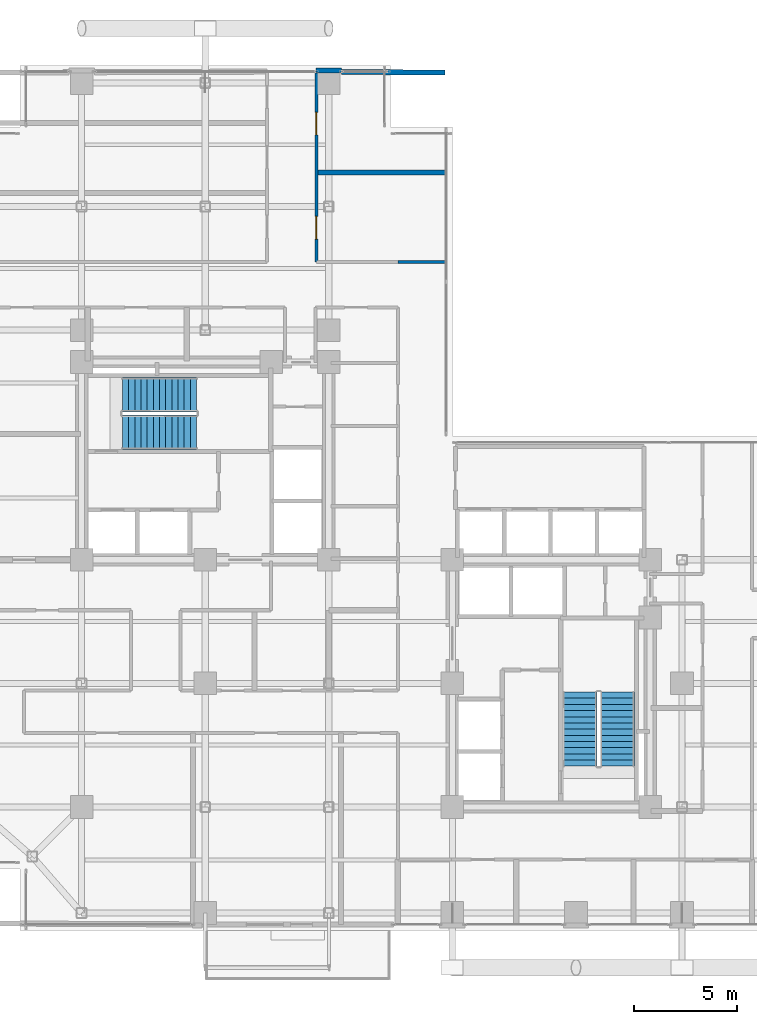
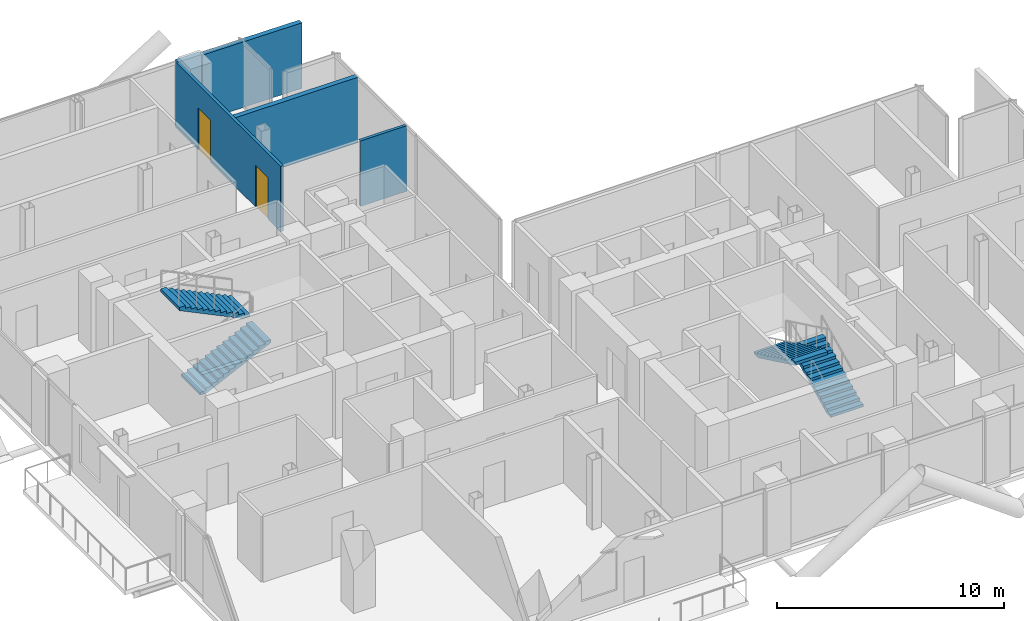
# One storey, part 22 of 24: 5 walls, 4 stair flights, 2 doors, 2 openings, 2 elements without a shape of their own.
"""IFC4 building model written with IfcOpenShell, lengths in metres."""

from ifc_helpers import new_model, si_unit, direction, frame, frame_2d, origin, place, context, subcontext, project, spatial, polyline, rectangle, outline, extrude, material, layer, layer_set, type_object, element, fill, aggregate, save


model = new_model("IFC4")

# Units and contexts
model_context = context("Model", 3, precision=1e-05, world=origin(), true_north=direction((0.0, 1.0)))
body_context = subcontext(model_context, "Body", "Model", "MODEL_VIEW")
ifc_project = project(units=[si_unit("LENGTHUNIT", "METRE"), si_unit("AREAUNIT", "SQUARE_METRE"), si_unit("VOLUMEUNIT", "CUBIC_METRE"), si_unit("PLANEANGLEUNIT", "RADIAN"), si_unit("MASSUNIT", "GRAM", prefix="KILO"), si_unit("THERMODYNAMICTEMPERATUREUNIT", "KELVIN"), si_unit("POWERUNIT", "WATT")], contexts=[model_context])

# Site, building, storey
site_placement = place(None, origin())
site = spatial("IfcSite", under=ifc_project, at=site_placement, CompositionType="ELEMENT")
building_placement = place(site_placement, origin())
building = spatial("IfcBuilding", under=site, at=building_placement, Name="Svarakhadi Broadcast Tower", CompositionType="ELEMENT")
storey_placement = place(building_placement, frame((0.0, 0.0, 130.64990234375)))
storey = spatial("IfcBuildingStorey", under=building, at=storey_placement, Name="L31", CompositionType="ELEMENT", Elevation=130.64990234375)

# Walls
ifc_material_1 = material(Name="Double-Stud Acoustic Studio Partition STC-62", Category="gypsum")
ifc_layer_1 = layer(ifc_material_1, 0.25)
ifc_layer_set_1 = layer_set([ifc_layer_1], Name="Double-Stud Acoustic Studio Partition STC-62")
wall_type_1 = type_object("IfcWallType", Name="Wall_Acoust_250", PredefinedType="PARTITIONING", material=ifc_layer_set_1)
wall_1_placement = place(storey_placement, frame((17.39990234375, 36.800048828125, 0.0), z_axis=(0.0, 0.0, 1.0), x_axis=(1.0, 0.0, 0.0)))
element("IfcWall", 1, at=wall_1_placement, inside=storey, type_object=wall_type_1, Name="L31 Executive Producer Office Wall", PredefinedType="PARTITIONING", context=body_context, shape_type="SweptSolid", body=[
    extrude(rectangle(XDim=6.300048828125, YDim=0.25, at=frame_2d((3.14990234375, 0.0))), origin(), (0.0, 0.0, 1.0), 3.525146484375),
])
wall_2_placement = place(storey_placement, frame((18.614990234375, 41.690185546875, 0.0), z_axis=(0.0, 0.0, 1.0), x_axis=(0.99996799533, -0.008000519771, 0.0)))
element("IfcWall", 2, at=wall_2_placement, inside=storey, type_object=wall_type_1, Name="L31 Pantry and Copy Room Wall", PredefinedType="PARTITIONING", context=body_context, shape_type="SweptSolid", body=[
    extrude(rectangle(XDim=5.03515625, YDim=0.25, at=frame_2d((2.517578125, 0.0))), origin(), (0.0, 0.0, 1.0), 3.525146484375),
])
ifc_material_2 = material(Name="Concrete C40/50 (IS 456 M50)", Category="concrete")
ifc_layer_2 = layer(ifc_material_2, 0.239990234375)
ifc_layer_set_2 = layer_set([ifc_layer_2], Name="Concrete C40/50 (IS 456 M50)")
wall_type_2 = type_object("IfcWallType", Name="Wall_Ext_240", PredefinedType="SOLIDWALL", material=ifc_layer_set_2)
wall_3_placement = place(storey_placement, frame((17.385009765625, 41.760009765625, 0.0), z_axis=(0.0, 0.0, 1.0), x_axis=(1.0, 0.0, 0.0)))
element("IfcWall", 3, at=wall_3_placement, inside=storey, type_object=wall_type_2, Name="L31 Perimeter Bronze Spandrel Closure Wall 05", PredefinedType="SOLIDWALL", context=body_context, shape_type="SweptSolid", body=[
    extrude(rectangle(XDim=1.22998046875, YDim=0.239990234375, at=frame_2d((0.614990234375, 0.0))), origin(), (0.0, 0.0, 1.0), 3.525146484375),
])

# Wall, openings, doors
ifc_material_3 = material(Name="Autoclaved Aerated Concrete Blockwork 150 mm", Category="masonry")
ifc_layer_3 = layer(ifc_material_3, 0.14990234375)
ifc_layer_set_3 = layer_set([ifc_layer_3], Name="Autoclaved Aerated Concrete Blockwork 150 mm")
wall_type_3 = type_object("IfcWallType", Name="Wall_Part_150", PredefinedType="PARTITIONING", material=ifc_layer_set_3)
wall_4_placement = place(storey_placement, frame((17.39990234375, 41.699951171875, 0.0), z_axis=(0.0, 0.0, 1.0), x_axis=(0.0, -1.0, 0.0)))
wall_4 = element("IfcWall", 4, at=wall_4_placement, inside=storey, type_object=wall_type_3, Name="L31 Zone 2/3 Corridor Wall", PredefinedType="PARTITIONING", context=body_context, shape_type="SweptSolid", body=[
    extrude(rectangle(XDim=9.25, YDim=0.14990234375, at=frame_2d((4.625, 0.0))), origin(), (0.0, 0.0, 1.0), 3.525146484375),
])
opening_1_placement = place(wall_4_placement, frame((7.030029296875, 0.0, 0.0)))
opening_1 = element("IfcOpeningElement", 5, at=opening_1_placement, cuts=wall_4, Name="Opening D-11", PredefinedType="OPENING", context=body_context, shape_type="SweptSolid", body=[
    extrude(rectangle(XDim=1.10009765625, YDim=2.25, at=frame_2d((0.550048828125, 1.125))), frame((0.0, 0.0849609375, 0.0), z_axis=(0.0, -1.0, 0.0), x_axis=(1.0, 0.0, 0.0)), (0.0, 0.0, 1.0), 0.169921875),
])
opening_2_placement = place(wall_4_placement, frame((1.97509765625, 0.0, 0.0)))
opening_2 = element("IfcOpeningElement", 6, at=opening_2_placement, cuts=wall_4, Name="Opening D-11", PredefinedType="OPENING", context=body_context, shape_type="SweptSolid", body=[
    extrude(rectangle(XDim=1.10009765625, YDim=2.25, at=frame_2d((0.550048828125, 1.125))), frame((0.0, 0.0849609375, 0.0), z_axis=(0.0, -1.0, 0.0), x_axis=(1.0, 0.0, 0.0)), (0.0, 0.0, 1.0), 0.169921875),
])
ifc_material_4 = material(Name="Solid-Core Teak Veneer Acoustic Timber Leaf", Category="wood")
door_type = type_object("IfcDoorType", Name="Door_Acoust_D11", OperationType="SINGLE_SWING_RIGHT", PredefinedType="DOOR", material=ifc_material_4)
door_1_placement = place(opening_1_placement, origin())
door_1 = element("IfcDoor", 7, at=door_1_placement, inside=storey, type_object=door_type, Name="L31 Executive Producer Office Door", OperationType="SINGLE_SWING_RIGHT", OverallHeight=2.25, OverallWidth=1.10009765625, PredefinedType="DOOR", context=body_context, shape_type="SweptSolid", body=[
    extrude(rectangle(XDim=1.10009765625, YDim=2.25, at=frame_2d((0.550048828125, 1.125))), frame((0.0, 0.02490234375, 0.0), z_axis=(0.0, -1.0, 0.0), x_axis=(1.0, 0.0, 0.0)), (0.0, 0.0, 1.0), 0.050048828125),
])
fill(opening_1, door_1)
door_2_placement = place(opening_2_placement, origin())
door_2 = element("IfcDoor", 8, at=door_2_placement, inside=storey, type_object=door_type, Name="L31 Pantry and Copy Room Door", OperationType="SINGLE_SWING_RIGHT", OverallHeight=2.25, OverallWidth=1.10009765625, PredefinedType="DOOR", context=body_context, shape_type="SweptSolid", body=[
    extrude(rectangle(XDim=1.10009765625, YDim=2.25, at=frame_2d((0.550048828125, 1.125))), frame((0.0, 0.02490234375, 0.0), z_axis=(0.0, -1.0, 0.0), x_axis=(1.0, 0.0, 0.0)), (0.0, 0.0, 1.0), 0.050048828125),
])
fill(opening_2, door_2)

# Wall
wall_5_placement = place(storey_placement, frame((21.35009765625, 32.449951171875, 0.0), z_axis=(0.0, 0.0, 1.0), x_axis=(1.0, 0.0, 0.0)))
element("IfcWall", 9, at=wall_5_placement, inside=storey, type_object=wall_type_3, Name="L31 Zone 2/3 Corridor Wall", PredefinedType="PARTITIONING", context=body_context, shape_type="SweptSolid", body=[
    extrude(rectangle(XDim=2.349853515625, YDim=0.14990234375, at=frame_2d((1.1748046875, 0.0))), origin(), (0.0, 0.0, 1.0), 3.525146484375),
])

# Stair, stair flights
stair_type = type_object("IfcStairType", Name="Stair_Exit_Core", PredefinedType="HALF_TURN_STAIR", material=ifc_material_2)
stair_1_placement = place(storey_placement, origin())
stair_1 = element("IfcStair", 10, at=stair_1_placement, inside=storey, type_object=stair_type, Name="L31 West Core Protected Exit Stair ST-01", PredefinedType="HALF_TURN_STAIR")
stair_flight_type = type_object("IfcStairFlightType", Name="Flight_RC_1680", PredefinedType="STRAIGHT", material=ifc_material_2)
stair_flight_1_placement = place(storey_placement, frame((7.97998046875, 24.18994140625, 0.0), z_axis=(0.0, 0.0, 1.0), x_axis=(1.0, 0.0, 0.0)))
stair_flight_1 = element("IfcStairFlight", 11, at=stair_flight_1_placement, type_object=stair_flight_type, Name="ST-01 flight 1", NumberOfRisers=13, NumberOfTreads=12, PredefinedType="STRAIGHT", RiserHeight=0.144230769, TreadLength=0.3, context=body_context, shape_type="SweptSolid", body=[
    extrude(outline(polyline([(0.0, 0.0), (0.0, 0.144287109375), (0.300048828125, 0.144287109375), (0.300048828125, 0.28857421875), (0.60009765625, 0.28857421875), (0.60009765625, 0.4326171875), (0.89990234375, 0.4326171875), (0.89990234375, 0.576904296875), (1.199951171875, 0.576904296875), (1.199951171875, 0.72119140625), (1.5, 0.72119140625), (1.5, 0.865478515625), (1.800048828125, 0.865478515625), (1.800048828125, 1.009521484375), (2.10009765625, 1.009521484375), (2.10009765625, 1.15380859375), (2.39990234375, 1.15380859375), (2.39990234375, 1.298095703125), (2.699951171875, 1.298095703125), (2.699951171875, 1.4423828125), (3.0, 1.4423828125), (3.0, 1.58642578125), (3.300048828125, 1.58642578125), (3.300048828125, 1.730712890625), (3.60009765625, 1.730712890625), (3.60009765625, 1.875), (3.60009765625, 1.564453125), (0.345947265625, 0.0), (0.0, 0.0)])), frame((0.0, 0.830078125, 0.0), z_axis=(0.0, -1.0, 0.0), x_axis=(1.0, 0.0, 0.0)), (0.0, 0.0, 1.0), 1.659912109375),
])
stair_flight_2_placement = place(storey_placement, frame((11.580078125, 26.010009765625, 1.875), z_axis=(0.0, 0.0, 1.0), x_axis=(-1.0, 0.0, 0.0)))
stair_flight_2 = element("IfcStairFlight", 12, at=stair_flight_2_placement, type_object=stair_flight_type, Name="ST-01 flight 2", NumberOfRisers=13, NumberOfTreads=12, PredefinedType="STRAIGHT", RiserHeight=0.144230769, TreadLength=0.3, context=body_context, shape_type="SweptSolid", body=[
    extrude(outline(polyline([(0.0, 0.0), (0.0, 0.144287109375), (0.300048828125, 0.144287109375), (0.300048828125, 0.28857421875), (0.60009765625, 0.28857421875), (0.60009765625, 0.4326171875), (0.89990234375, 0.4326171875), (0.89990234375, 0.576904296875), (1.199951171875, 0.576904296875), (1.199951171875, 0.72119140625), (1.5, 0.72119140625), (1.5, 0.865478515625), (1.800048828125, 0.865478515625), (1.800048828125, 1.009521484375), (2.10009765625, 1.009521484375), (2.10009765625, 1.15380859375), (2.39990234375, 1.15380859375), (2.39990234375, 1.298095703125), (2.699951171875, 1.298095703125), (2.699951171875, 1.4423828125), (3.0, 1.4423828125), (3.0, 1.58642578125), (3.300048828125, 1.58642578125), (3.300048828125, 1.730712890625), (3.60009765625, 1.730712890625), (3.60009765625, 1.875), (3.60009765625, 1.564453125), (0.345947265625, 0.0), (0.0, 0.0)])), frame((0.0, 0.830078125, 0.0), z_axis=(0.0, -1.0, 0.0), x_axis=(1.0, 0.0, 0.0)), (0.0, 0.0, 1.0), 1.659912109375),
])
aggregate(stair_1, [stair_flight_1, stair_flight_2])

stair_2_placement = place(storey_placement, origin())
stair_2 = element("IfcStair", 13, at=stair_2_placement, inside=storey, type_object=stair_type, Name="L31 East Core Protected Exit Stair ST-02", PredefinedType="HALF_TURN_STAIR")
stair_flight_3_placement = place(storey_placement, frame((32.010009765625, 7.97998046875, 0.0), z_axis=(0.0, 0.0, 1.0), x_axis=(0.0, 1.0, 0.0)))
stair_flight_3 = element("IfcStairFlight", 14, at=stair_flight_3_placement, type_object=stair_flight_type, Name="ST-02 flight 1", NumberOfRisers=13, NumberOfTreads=12, PredefinedType="STRAIGHT", RiserHeight=0.144230769, TreadLength=0.3, context=body_context, shape_type="SweptSolid", body=[
    extrude(outline(polyline([(0.0, 0.0), (0.0, 0.144287109375), (0.300048828125, 0.144287109375), (0.300048828125, 0.28857421875), (0.60009765625, 0.28857421875), (0.60009765625, 0.4326171875), (0.89990234375, 0.4326171875), (0.89990234375, 0.576904296875), (1.199951171875, 0.576904296875), (1.199951171875, 0.72119140625), (1.5, 0.72119140625), (1.5, 0.865478515625), (1.800048828125, 0.865478515625), (1.800048828125, 1.009521484375), (2.10009765625, 1.009521484375), (2.10009765625, 1.15380859375), (2.39990234375, 1.15380859375), (2.39990234375, 1.298095703125), (2.699951171875, 1.298095703125), (2.699951171875, 1.4423828125), (3.0, 1.4423828125), (3.0, 1.58642578125), (3.300048828125, 1.58642578125), (3.300048828125, 1.730712890625), (3.60009765625, 1.730712890625), (3.60009765625, 1.875), (3.60009765625, 1.564453125), (0.345947265625, 0.0), (0.0, 0.0)])), frame((0.0, 0.830078125, 0.0), z_axis=(0.0, -1.0, 0.0), x_axis=(1.0, 0.0, 0.0)), (0.0, 0.0, 1.0), 1.659912109375),
])
stair_flight_4_placement = place(storey_placement, frame((30.18994140625, 11.580078125, 1.875), z_axis=(0.0, 0.0, 1.0), x_axis=(0.0, -1.0, 0.0)))
stair_flight_4 = element("IfcStairFlight", 15, at=stair_flight_4_placement, type_object=stair_flight_type, Name="ST-02 flight 2", NumberOfRisers=13, NumberOfTreads=12, PredefinedType="STRAIGHT", RiserHeight=0.144230769, TreadLength=0.3, context=body_context, shape_type="SweptSolid", body=[
    extrude(outline(polyline([(0.0, 0.0), (0.0, 0.144287109375), (0.300048828125, 0.144287109375), (0.300048828125, 0.28857421875), (0.60009765625, 0.28857421875), (0.60009765625, 0.4326171875), (0.89990234375, 0.4326171875), (0.89990234375, 0.576904296875), (1.199951171875, 0.576904296875), (1.199951171875, 0.72119140625), (1.5, 0.72119140625), (1.5, 0.865478515625), (1.800048828125, 0.865478515625), (1.800048828125, 1.009521484375), (2.10009765625, 1.009521484375), (2.10009765625, 1.15380859375), (2.39990234375, 1.15380859375), (2.39990234375, 1.298095703125), (2.699951171875, 1.298095703125), (2.699951171875, 1.4423828125), (3.0, 1.4423828125), (3.0, 1.58642578125), (3.300048828125, 1.58642578125), (3.300048828125, 1.730712890625), (3.60009765625, 1.730712890625), (3.60009765625, 1.875), (3.60009765625, 1.564453125), (0.345947265625, 0.0), (0.0, 0.0)])), frame((0.0, 0.830078125, 0.0), z_axis=(0.0, -1.0, 0.0), x_axis=(1.0, 0.0, 0.0)), (0.0, 0.0, 1.0), 1.659912109375),
])
aggregate(stair_2, [stair_flight_3, stair_flight_4])

save(model, "model.ifc")
